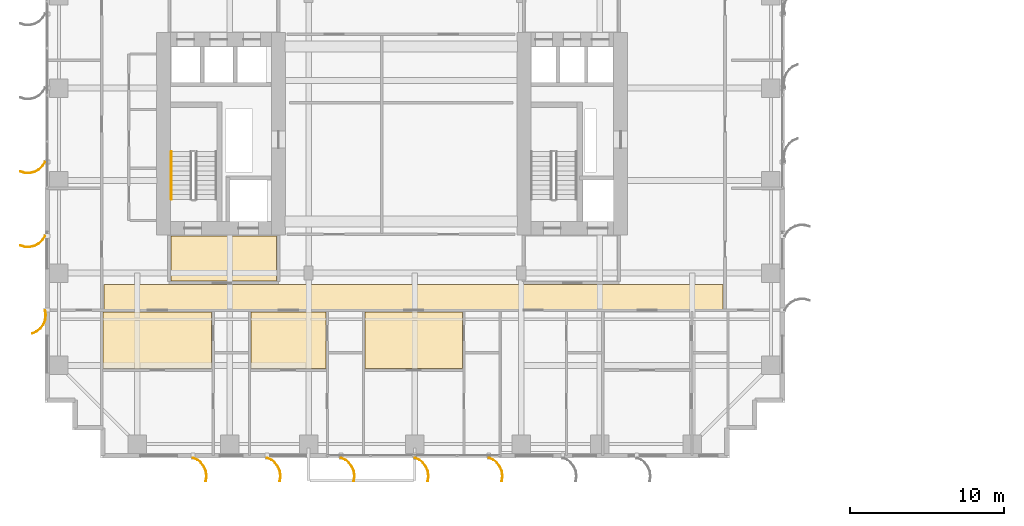
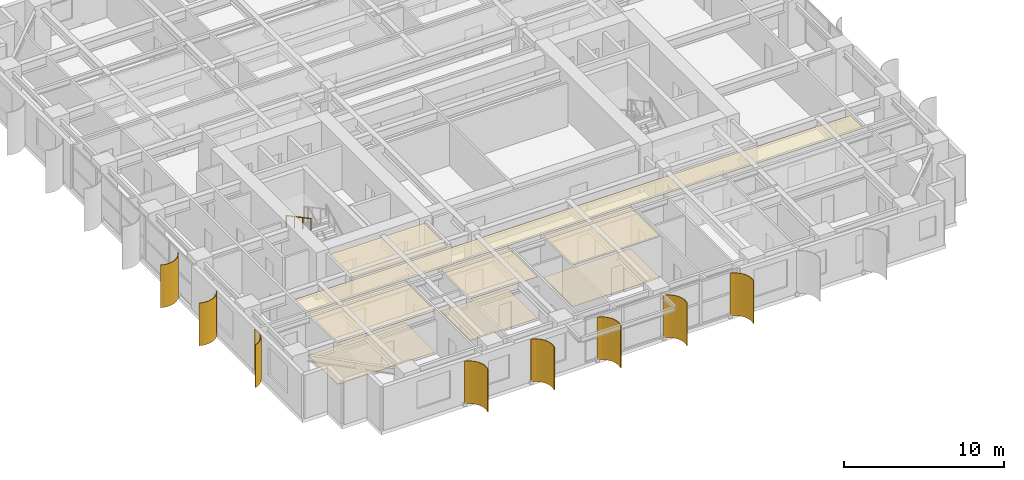
# One storey, part 23 of 26: 8 coverings, 8 shading devices, 1 railing.
"""IFC4 building model written with IfcOpenShell, lengths in metres."""

from ifc_helpers import new_model, si_unit, direction, frame, origin, origin_2d, place, context, subcontext, project, spatial, polyline, circle, outline, extrude, source, transform, mapped, material, layer, layer_set, type_object, element, save


model = new_model("IFC4")

# Units and contexts
model_context = context("Model", 3, precision=1e-05, world=origin(), true_north=direction((0.0, 1.0)))
body_context = subcontext(model_context, "Body", "Model", "MODEL_VIEW")
ifc_project = project(units=[si_unit("LENGTHUNIT", "METRE"), si_unit("AREAUNIT", "SQUARE_METRE"), si_unit("VOLUMEUNIT", "CUBIC_METRE"), si_unit("PLANEANGLEUNIT", "RADIAN"), si_unit("MASSUNIT", "GRAM", prefix="KILO")], contexts=[model_context])

# Site, building, storey
site_placement = place(None, origin())
site = spatial("IfcSite", under=ifc_project, at=site_placement, CompositionType="ELEMENT")
building_placement = place(site_placement, origin())
building = spatial("IfcBuilding", under=site, at=building_placement, Name="Khoralis Quay Care Tower", CompositionType="ELEMENT")
storey_placement = place(building_placement, frame((0.0, 0.0, 26.10009765625)))
storey = spatial("IfcBuildingStorey", under=building, at=storey_placement, Name="L06", CompositionType="ELEMENT", Elevation=26.10009765625)

# Coverings
ifc_material_1 = material(Name="Mineral-fibre acoustic ceiling tile")
ifc_layer_1 = layer(ifc_material_1, 0.01806640625)
ifc_layer_set_1 = layer_set([ifc_layer_1], Name="Mineral-fibre acoustic ceiling tile")
covering_type_1 = type_object("IfcCoveringType", Name="COV-CEIL-AC18", PredefinedType="CEILING", material=ifc_layer_set_1)
covering_1_placement = place(storey_placement, frame((0.0, 0.0, 3.171875)))
element("IfcCovering", 1, at=covering_1_placement, inside=storey, type_object=covering_type_1, Name="Suspended Acoustic Ceiling SP-L06-FFLOB-W", PredefinedType="CEILING", context=body_context, shape_type="SweptSolid", body=[
    extrude(outline(polyline([(8.179931640625, 11.47998046875), (15.02001953125, 11.47998046875), (15.02001953125, 14.39990234375), (8.179931640625, 14.39990234375), (8.179931640625, 11.47998046875)])), origin(), (0.0, 0.0, 1.0), 0.01806640625),
])
covering_2_placement = place(storey_placement, frame((0.0, 0.0, 3.171875)))
element("IfcCovering", 2, at=covering_2_placement, inside=storey, type_object=covering_type_1, Name="Suspended Acoustic Ceiling SP-L06-CORR-S", PredefinedType="CEILING", context=body_context, shape_type="SweptSolid", body=[
    extrude(outline(polyline([(3.820068359375, 9.6201171875), (43.97998046875, 9.6201171875), (43.97998046875, 11.239990234375), (3.820068359375, 11.239990234375), (3.820068359375, 9.6201171875)])), origin(), (0.0, 0.0, 1.0), 0.01806640625),
])
covering_3_placement = place(storey_placement, frame((0.0, 0.0, 3.171875)))
element("IfcCovering", 3, at=covering_3_placement, inside=storey, type_object=covering_type_1, Name="Suspended Acoustic Ceiling SP-L06-SB-CARE0", PredefinedType="CEILING", context=body_context, shape_type="SweptSolid", body=[
    extrude(outline(polyline([(3.780029296875, 5.7900390625), (10.820068359375, 5.7900390625), (10.820068359375, 9.47998046875), (3.780029296875, 9.47998046875), (3.780029296875, 5.7900390625)])), origin(), (0.0, 0.0, 1.0), 0.01806640625),
])
covering_4_placement = place(storey_placement, frame((0.0, 0.0, 3.171875)))
element("IfcCovering", 4, at=covering_4_placement, inside=storey, type_object=covering_type_1, Name="Suspended Acoustic Ceiling SP-L06-SB-CARE1", PredefinedType="CEILING", context=body_context, shape_type="SweptSolid", body=[
    extrude(outline(polyline([(13.3701171875, 5.7900390625), (18.219970703125, 5.7900390625), (18.219970703125, 9.47998046875), (13.3701171875, 9.47998046875), (13.3701171875, 5.7900390625)])), origin(), (0.0, 0.0, 1.0), 0.01806640625),
])
covering_5_placement = place(storey_placement, frame((0.0, 0.0, 3.171875)))
element("IfcCovering", 5, at=covering_5_placement, inside=storey, type_object=covering_type_1, Name="Suspended Acoustic Ceiling SP-L06-SB-CARE2", PredefinedType="CEILING", context=body_context, shape_type="SweptSolid", body=[
    extrude(outline(polyline([(20.77001953125, 5.7900390625), (27.080078125, 5.7900390625), (27.080078125, 9.47998046875), (20.77001953125, 9.47998046875), (20.77001953125, 5.7900390625)])), origin(), (0.0, 0.0, 1.0), 0.01806640625),
])
ifc_material_2 = material(Name="Porcelain and non-slip vinyl flooring")
ifc_layer_2 = layer(ifc_material_2, 0.02001953125)
ifc_layer_set_2 = layer_set([ifc_layer_2], Name="Porcelain and non-slip vinyl flooring")
covering_type_2 = type_object("IfcCoveringType", Name="COV-FLOOR-20", PredefinedType="FLOORING", material=ifc_layer_set_2)
covering_6_placement = place(storey_placement, origin())
element("IfcCovering", 6, at=covering_6_placement, inside=storey, type_object=covering_type_2, Name="Resilient Healthcare Flooring SP-L06-SB-CARE0", PredefinedType="FLOORING", context=body_context, shape_type="SweptSolid", body=[
    extrude(outline(polyline([(3.780029296875, 5.7900390625), (10.820068359375, 5.7900390625), (10.820068359375, 9.47998046875), (3.780029296875, 9.47998046875), (3.780029296875, 5.7900390625)])), origin(), (0.0, 0.0, 1.0), 0.02001953125),
])
covering_7_placement = place(storey_placement, origin())
element("IfcCovering", 7, at=covering_7_placement, inside=storey, type_object=covering_type_2, Name="Resilient Healthcare Flooring SP-L06-SB-CARE1", PredefinedType="FLOORING", context=body_context, shape_type="SweptSolid", body=[
    extrude(outline(polyline([(13.3701171875, 5.7900390625), (18.219970703125, 5.7900390625), (18.219970703125, 9.47998046875), (13.3701171875, 9.47998046875), (13.3701171875, 5.7900390625)])), origin(), (0.0, 0.0, 1.0), 0.02001953125),
])
covering_8_placement = place(storey_placement, origin())
element("IfcCovering", 8, at=covering_8_placement, inside=storey, type_object=covering_type_2, Name="Resilient Healthcare Flooring SP-L06-SB-CARE2", PredefinedType="FLOORING", context=body_context, shape_type="SweptSolid", body=[
    extrude(outline(polyline([(20.77001953125, 5.7900390625), (27.080078125, 5.7900390625), (27.080078125, 9.47998046875), (20.77001953125, 9.47998046875), (20.77001953125, 5.7900390625)])), origin(), (0.0, 0.0, 1.0), 0.02001953125),
])

# Railing
ifc_material_3 = material(Name="Brushed stainless steel", Category="steel")
railing_type = type_object("IfcRailingType", Name="RL-HAND-900", PredefinedType="HANDRAIL", material=ifc_material_3)
railing_placement = place(storey_placement, frame((8.199951171875, 19.8701171875, 1.963623046875)))
element("IfcRailing", 9, at=railing_placement, inside=storey, type_object=railing_type, Name="L06 ST-T1 stair handrail 2", PredefinedType="HANDRAIL", context=body_context, shape_type="SweptSolid", body=[
    extrude(circle(Radius=0.02392578125, at=origin_2d()), frame((0.0, 0.0, 0.8759765625), z_axis=(0.0, -0.884376766648, 0.46677375099), x_axis=(1.0, 0.0, 0.0)), (0.0, 0.0, 1.0), 3.50537109375),
    extrude(circle(Radius=0.02099609375, at=origin_2d()), origin(), (0.0, 0.0, 1.0), 0.851806640625),
    extrude(circle(Radius=0.02099609375, at=origin_2d()), frame((0.0, -1.033447265625, 0.54541015625)), (0.0, 0.0, 1.0), 0.851806640625),
    extrude(circle(Radius=0.02099609375, at=origin_2d()), frame((0.0, -2.066650390625, 1.0908203125)), (0.0, 0.0, 1.0), 0.851806640625),
    extrude(circle(Radius=0.02099609375, at=origin_2d()), frame((0.0, -3.10009765625, 1.63623046875)), (0.0, 0.0, 1.0), 0.851806640625),
])

# Shading devices
ifc_material_4 = material(Name="Brushed pale anodised aluminium", Category="aluminium")
ifc_layer_3 = layer(ifc_material_4, 0.044921875)
ifc_layer_set_3 = layer_set([ifc_layer_3], Name="Brushed pale anodised aluminium")
shading_device_type = type_object("IfcShadingDeviceType", Name="SHD-FIN-1250", PredefinedType="USERDEFINED", material=ifc_layer_set_3)
shared_shape_1 = source(origin(), body_context, "Body", "SweptSolid", [
    extrude(outline(polyline([(0.0, 0.0), (0.130126953125, 0.29931640625), (0.333251953125, 0.5546875), (0.595458984375, 0.748779296875), (0.899169921875, 0.868408203125), (1.223388671875, 0.9052734375), (1.546142578125, 0.85693359375), (1.53369140625, 0.813720703125), (1.22265625, 0.8603515625), (0.91015625, 0.82470703125), (0.617431640625, 0.70947265625), (0.364501953125, 0.522216796875), (0.168701171875, 0.276123046875), (0.043212890625, -0.012451171875), (0.0, 0.0)])), origin(), (0.0, 0.0, 1.0), 3.259765625),
])
for number, where, z_axis, x_axis, name in (
    (10, (9.60009765625, 0.030029296875, 0.02001953125), (0.0, 0.0, 1.0), (0.0, -1.0, 0.0), "L06 Curved Solar Fin P1E0-01"),
    (11, (14.39990234375, 0.030029296875, 0.02001953125), (0.0, 0.0, 1.0), (0.0, -1.0, 0.0), "L06 Curved Solar Fin P1E0-02"),
    (12, (19.199951171875, 0.030029296875, 0.02001953125), (0.0, 0.0, 1.0), (0.0, -1.0, 0.0), "L06 Curved Solar Fin P1E0-03"),
    (13, (24.0, 0.030029296875, 0.02001953125), (0.0, 0.0, 1.0), (0.0, -1.0, 0.0), "L06 Curved Solar Fin P1E0-04"),
    (14, (28.800048828125, 0.030029296875, 0.02001953125), (0.0, 0.0, 1.0), (0.0, -1.0, 0.0), "L06 Curved Solar Fin P1E0-05"),
):
    element("IfcShadingDevice", number, at=place(storey_placement, frame(where, z_axis=z_axis, x_axis=x_axis)), inside=storey, type_object=shading_device_type, Name=name, ObjectType="FIN", PredefinedType="USERDEFINED", context=body_context, shape_type="MappedRepresentation", body=[
        mapped(shared_shape_1, transform((0.0, 0.0, 0.0), scale=1.0)),
    ])
shared_shape_2 = source(origin(), body_context, "Body", "SweptSolid", [
    extrude(outline(polyline([(0.0, 0.0), (0.17041015625, 0.2783203125), (0.4072265625, 0.5029296875), (0.694091796875, 0.658447265625), (1.01123046875, 0.734619140625), (1.33740234375, 0.72607421875), (1.650390625, 0.633544921875), (1.632080078125, 0.59228515625), (1.330322265625, 0.681640625), (1.015869140625, 0.68994140625), (0.710205078125, 0.616455078125), (0.43359375, 0.466552734375), (0.20556640625, 0.25), (0.041015625, -0.018310546875), (0.0, 0.0)])), origin(), (0.0, 0.0, 1.0), 3.259765625),
])
for number, where, z_axis, x_axis, name in (
    (15, (0.030029296875, 19.199951171875, 0.02001953125), (0.0, 0.0, 1.0), (-1.0, 0.0, 0.0), "L06 Curved Solar Fin P1E15-05"),
    (16, (0.030029296875, 14.39990234375, 0.02001953125), (0.0, 0.0, 1.0), (-1.0, 0.0, 0.0), "L06 Curved Solar Fin P1E15-06"),
):
    element("IfcShadingDevice", number, at=place(storey_placement, frame(where, z_axis=z_axis, x_axis=x_axis)), inside=storey, type_object=shading_device_type, Name=name, ObjectType="FIN", PredefinedType="USERDEFINED", context=body_context, shape_type="MappedRepresentation", body=[
        mapped(shared_shape_2, transform((0.0, 0.0, 0.0), scale=1.0)),
    ])
shared_shape_3 = source(origin(), body_context, "Body", "SweptSolid", [
    extrude(outline(polyline([(0.0, 0.0), (-0.04833984375, 0.32275390625), (-0.01123046875, 0.64697265625), (0.1083984375, 0.950439453125), (0.302490234375, 1.212890625), (0.557861328125, 1.416015625), (0.85693359375, 1.546142578125), (0.869384765625, 1.5029296875), (0.5810546875, 1.37744140625), (0.334716796875, 1.181640625), (0.147705078125, 0.9287109375), (0.032470703125, 0.635986328125), (-0.003173828125, 0.323486328125), (0.043212890625, 0.012451171875), (0.0, 0.0)])), origin(), (0.0, 0.0, 1.0), 3.259765625),
])
shading_device_placement = place(storey_placement, frame((0.030029296875, 9.60009765625, 0.02001953125), z_axis=(0.0, 0.0, 1.0), x_axis=(-1.0, 0.0, 0.0)))
element("IfcShadingDevice", 17, at=shading_device_placement, inside=storey, type_object=shading_device_type, Name="L06 Curved Solar Fin P1E15-07", ObjectType="FIN", PredefinedType="USERDEFINED", context=body_context, shape_type="MappedRepresentation", body=[
    mapped(shared_shape_3, transform((0.0, 0.0, 0.0), scale=1.0)),
])

save(model, "model.ifc")
